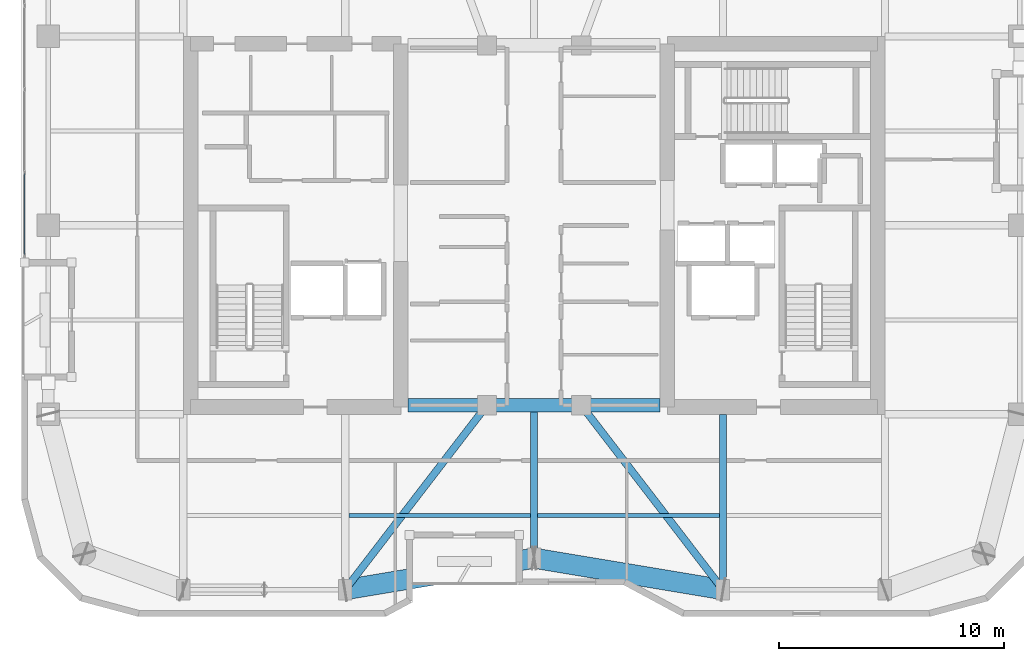
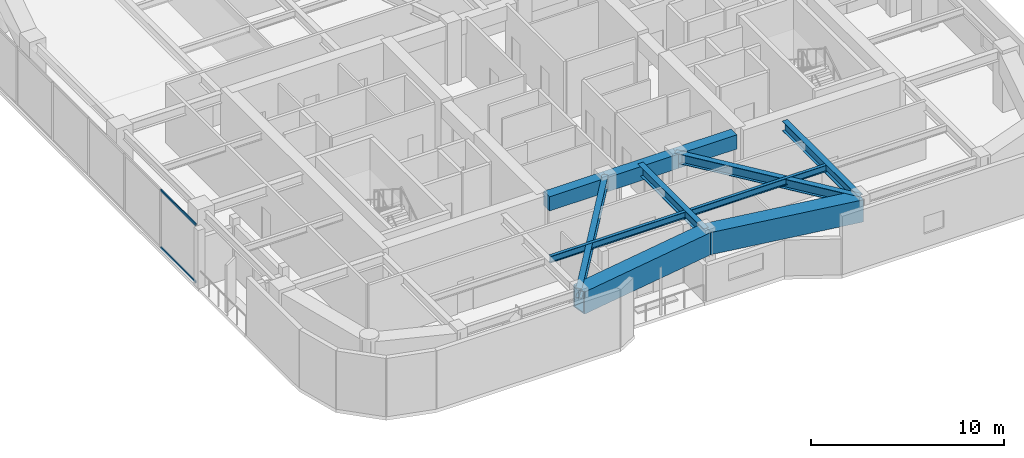
# One storey, part 3 of 21: 11 beams, 2 members, 1 element without a shape of its own.
"""IFC4 building model written with IfcOpenShell, lengths in metres."""

from ifc_helpers import new_model, si_unit, direction, frame, origin, origin_2d, place, context, subcontext, project, spatial, rectangle, hollow_rectangle, i_section, extrude, material, layer, layer_set, material_profile, profile_set, type_object, element, aggregate, save


model = new_model("IFC4")

# Units and contexts
model_context = context("Model", 3, precision=1e-05, world=origin(), true_north=direction((0.0, 1.0)))
body_context = subcontext(model_context, "Body", "Model", "MODEL_VIEW")
ifc_project = project(units=[si_unit("LENGTHUNIT", "METRE"), si_unit("AREAUNIT", "SQUARE_METRE"), si_unit("VOLUMEUNIT", "CUBIC_METRE"), si_unit("PLANEANGLEUNIT", "RADIAN"), si_unit("MASSUNIT", "GRAM", prefix="KILO")], contexts=[model_context])

# Site, building, storey
site_placement = place(None, origin())
site = spatial("IfcSite", under=ifc_project, at=site_placement, CompositionType="ELEMENT")
building_placement = place(site_placement, origin())
building = spatial("IfcBuilding", under=site, at=building_placement, Name="Kiyonajd Concourse Tower", CompositionType="ELEMENT")
storey_placement = place(building_placement, frame((0.0, 0.0, 234.89990234375)))
storey = spatial("IfcBuildingStorey", under=building, at=storey_placement, Name="L59", CompositionType="ELEMENT", Elevation=234.89990234375)

# Beams
ifc_material_1 = material(Name="Concrete C60/75", Category="concrete")
ifc_material_profile_1 = material_profile(ifc_material_1, rectangle(XDim=0.60009765625, YDim=0.89990234375, at=origin_2d()), Name="RCBM-600x900")
ifc_profile_set_1 = profile_set([ifc_material_profile_1], Name="Concrete C60/75")
beam_type_1 = type_object("IfcBeamType", Name="BM-COUP-900", PredefinedType="LINTEL", material=ifc_profile_set_1)
beam_1_placement = place(storey_placement, frame((42.39990234375, 28.0, 3.22998046875), z_axis=(1.0, 0.0, 0.0), x_axis=(0.0, 1.0, 0.0)))
element("IfcBeam", 1, at=beam_1_placement, inside=storey, type_object=beam_type_1, Name="L59 Core Coupling Beam S1", PredefinedType="LINTEL", context=body_context, shape_type="SweptSolid", body=[
    extrude(rectangle(XDim=0.60009765625, YDim=0.89990234375, at=origin_2d()), origin(), (0.0, 0.0, 1.0), 3.5),
])
beam_2_placement = place(storey_placement, frame((45.89990234375, 28.0, 3.22998046875), z_axis=(1.0, 0.0, 0.0), x_axis=(0.0, 1.0, 0.0)))
element("IfcBeam", 2, at=beam_2_placement, inside=storey, type_object=beam_type_1, Name="L59 Core Coupling Beam S2", PredefinedType="LINTEL", context=body_context, shape_type="SweptSolid", body=[
    extrude(rectangle(XDim=0.60009765625, YDim=0.89990234375, at=origin_2d()), origin(), (0.0, 0.0, 1.0), 4.2001953125),
])
beam_3_placement = place(storey_placement, frame((50.10009765625, 28.0, 3.22998046875), z_axis=(1.0, 0.0, 0.0), x_axis=(0.0, 1.0, 0.0)))
element("IfcBeam", 3, at=beam_3_placement, inside=storey, type_object=beam_type_1, Name="L59 Core Coupling Beam S3", PredefinedType="LINTEL", context=body_context, shape_type="SweptSolid", body=[
    extrude(rectangle(XDim=0.60009765625, YDim=0.89990234375, at=origin_2d()), origin(), (0.0, 0.0, 1.0), 3.5),
])
ifc_material_2 = material(Name="Steel ASTM A992 Grade 50", Category="steel")
ifc_material_profile_2 = material_profile(ifc_material_2, i_section(OverallWidth=0.180908203125, OverallDepth=0.4169921875, WebThickness=0.010986328125, FlangeThickness=0.018310546875, at=origin_2d()), Name="W410X85")
ifc_profile_set_2 = profile_set([ifc_material_profile_2], Name="Steel ASTM A992 Grade 50")
beam_type_2 = type_object("IfcBeamType", Name="BM-JST-410", PredefinedType="JOIST", material=ifc_profile_set_2)
for number, where, z_axis, x_axis, name in (
    (4, (39.761962890625, 23.10009765625, 3.4716796875), (1.0, 0.0, 0.0), (0.0, 1.0, 0.0), "L59 Secondary Floor Joist"),
    (5, (48.162109375, 23.10009765625, 3.4716796875), (1.0, 0.0, 0.0), (0.0, 1.0, 0.0), "L59 Secondary Floor Joist"),
):
    element("IfcBeam", number, at=place(storey_placement, frame(where, z_axis=z_axis, x_axis=x_axis)), inside=storey, type_object=beam_type_2, Name=name, PredefinedType="JOIST", context=body_context, shape_type="SweptSolid", body=[
        extrude(i_section(OverallWidth=0.180908203125, OverallDepth=0.4169921875, WebThickness=0.010986328125, FlangeThickness=0.018310546875, at=origin_2d()), origin(), (0.0, 0.0, 1.0), 8.075927734375),
    ])
ifc_material_profile_3 = material_profile(ifc_material_2, i_section(OverallWidth=0.326904296875, OverallDepth=0.6220703125, WebThickness=0.015380859375, FlangeThickness=0.0244140625, at=origin_2d()), Name="W610X195")
ifc_profile_set_3 = profile_set([ifc_material_profile_3], Name="Steel ASTM A992 Grade 50")
beam_type_3 = type_object("IfcBeamType", Name="BM-TWR-610A", PredefinedType="BEAM", material=ifc_profile_set_3)
for number, where, z_axis, x_axis, name in (
    (6, (39.60009765625, 19.800048828125, 3.369140625), (0.609233709922, 0.792990722956, 0.0), (-0.792990722956, 0.609233709922, 0.0), "L59 Core Tie Girder"),
    (7, (50.10009765625, 28.0, 3.369140625), (0.609233709922, -0.792990722956, 0.0), (0.792990722956, 0.609233709922, 0.0), "L59 Core Tie Girder"),
):
    element("IfcBeam", number, at=place(storey_placement, frame(where, z_axis=z_axis, x_axis=x_axis)), inside=storey, type_object=beam_type_3, Name=name, PredefinedType="BEAM", context=body_context, shape_type="SweptSolid", body=[
        extrude(i_section(OverallWidth=0.326904296875, OverallDepth=0.6220703125, WebThickness=0.015380859375, FlangeThickness=0.0244140625, at=origin_2d()), origin(), (0.0, 0.0, 1.0), 10.340576171875),
    ])
ifc_material_profile_4 = material_profile(ifc_material_2, i_section(OverallWidth=0.323974609375, OverallDepth=0.611083984375, WebThickness=0.0126953125, FlangeThickness=0.01904296875, at=origin_2d()), Name="W610X155")
ifc_profile_set_4 = profile_set([ifc_material_profile_4], Name="Steel ASTM A992 Grade 50")
beam_type_4 = type_object("IfcBeamType", Name="BM-TWR-610B", PredefinedType="BEAM", material=ifc_profile_set_4)
beam_4_placement = place(storey_placement, frame((56.39990234375, 19.800048828125, 3.37451171875), z_axis=(0.0, 1.0, 0.0), x_axis=(-1.0, 0.0, 0.0)))
element("IfcBeam", 8, at=beam_4_placement, inside=storey, type_object=beam_type_4, Name="L59 South Lease Girder", PredefinedType="BEAM", context=body_context, shape_type="SweptSolid", body=[
    extrude(i_section(OverallWidth=0.323974609375, OverallDepth=0.611083984375, WebThickness=0.0126953125, FlangeThickness=0.01904296875, at=origin_2d()), origin(), (0.0, 0.0, 1.0), 7.800048828125),
])
beam_5_placement = place(storey_placement, frame((48.0, 21.199951171875, 3.37451171875), z_axis=(0.0, 1.0, 0.0), x_axis=(-1.0, 0.0, 0.0)))
element("IfcBeam", 9, at=beam_5_placement, inside=storey, type_object=beam_type_4, Name="L59 South Ribbon Girder", PredefinedType="BEAM", context=body_context, shape_type="SweptSolid", body=[
    extrude(i_section(OverallWidth=0.323974609375, OverallDepth=0.611083984375, WebThickness=0.0126953125, FlangeThickness=0.01904296875, at=origin_2d()), origin(), (0.0, 0.0, 1.0), 6.800048828125),
])
ifc_material_3 = material(Name="Steel ASTM A572 Grade 50", Category="steel")
ifc_material_profile_5 = material_profile(ifc_material_3, hollow_rectangle(XDim=0.89990234375, YDim=1.39990234375, WallThickness=0.070068359375, at=origin_2d()), Name="BOX-1400x900x70")
ifc_profile_set_5 = profile_set([ifc_material_profile_5], Name="Steel ASTM A572 Grade 50")
beam_type_5 = type_object("IfcBeamType", Name="BM-XFER-1400", PredefinedType="BEAM", material=ifc_profile_set_5)
for number, where, z_axis, x_axis, name in (
    (10, (39.60009765625, 19.800048828125, 2.97998046875), (0.986395473479, 0.164389689151, 0.0), (-0.164389689151, 0.986395473479, 0.0), "L59 Perimeter Bundled Tube Spandrel"),
    (11, (48.0, 21.199951171875, 2.97998046875), (0.986395473479, -0.164389689151, 0.0), (0.164389689151, 0.986395473479, 0.0), "L59 Perimeter Bundled Tube Spandrel"),
):
    element("IfcBeam", number, at=place(storey_placement, frame(where, z_axis=z_axis, x_axis=x_axis)), inside=storey, type_object=beam_type_5, Name=name, PredefinedType="BEAM", context=body_context, shape_type="SweptSolid", body=[
        extrude(hollow_rectangle(XDim=0.89990234375, YDim=1.39990234375, WallThickness=0.070068359375, at=origin_2d()), origin(), (0.0, 0.0, 1.0), 8.515869140625),
    ])

# Curtain wall, members
ifc_material_4 = material(Name="Thermally Broken Anodised Aluminium", Category="aluminium")
ifc_layer = layer(ifc_material_4, 0.179931640625)
ifc_layer_set = layer_set([ifc_layer], Name="Thermally Broken Anodised Aluminium")
curtain_wall_type = type_object("IfcCurtainWallType", Name="CW-SYS-04", PredefinedType="NOTDEFINED", material=ifc_layer_set)
curtain_wall_placement = place(storey_placement, origin())
curtain_wall = element("IfcCurtainWall", 12, at=curtain_wall_placement, inside=storey, type_object=curtain_wall_type, Name="L59 Unitised Curtain Wall CW4", PredefinedType="NOTDEFINED")
ifc_material_profile_6 = material_profile(ifc_material_4, hollow_rectangle(XDim=0.06494140625, YDim=0.139892578125, WallThickness=0.00390625, at=origin_2d()), Name="TRAN-65x140")
ifc_profile_set_6 = profile_set([ifc_material_profile_6], Name="Thermally Broken Anodised Aluminium")
member_type = type_object("IfcMemberType", Name="MB-CW-TRAN1", PredefinedType="USERDEFINED", material=ifc_profile_set_6)
member_1_placement = place(storey_placement, frame((25.340087890625, 34.695068359375, 0.03271484375), z_axis=(0.0, 1.0, 0.0), x_axis=(-1.0, 0.0, 0.0)))
member_1 = element("IfcMember", 13, at=member_1_placement, type_object=member_type, Name="CW4 transom 1.1", ObjectType="TRANSOM", PredefinedType="USERDEFINED", context=body_context, shape_type="SweptSolid", body=[
    extrude(hollow_rectangle(XDim=0.06494140625, YDim=0.139892578125, WallThickness=0.00390625, at=origin_2d()), origin(), (0.0, 0.0, 1.0), 3.61279296875),
])
member_2_placement = place(storey_placement, frame((25.340087890625, 34.695068359375, 3.647705078125), z_axis=(0.0, 1.0, 0.0), x_axis=(-1.0, 0.0, 0.0)))
member_2 = element("IfcMember", 14, at=member_2_placement, type_object=member_type, Name="CW4 transom 1.2", ObjectType="TRANSOM", PredefinedType="USERDEFINED", context=body_context, shape_type="SweptSolid", body=[
    extrude(hollow_rectangle(XDim=0.06494140625, YDim=0.139892578125, WallThickness=0.00390625, at=origin_2d()), origin(), (0.0, 0.0, 1.0), 3.61279296875),
])
aggregate(curtain_wall, [member_1, member_2])

save(model, "model.ifc")
